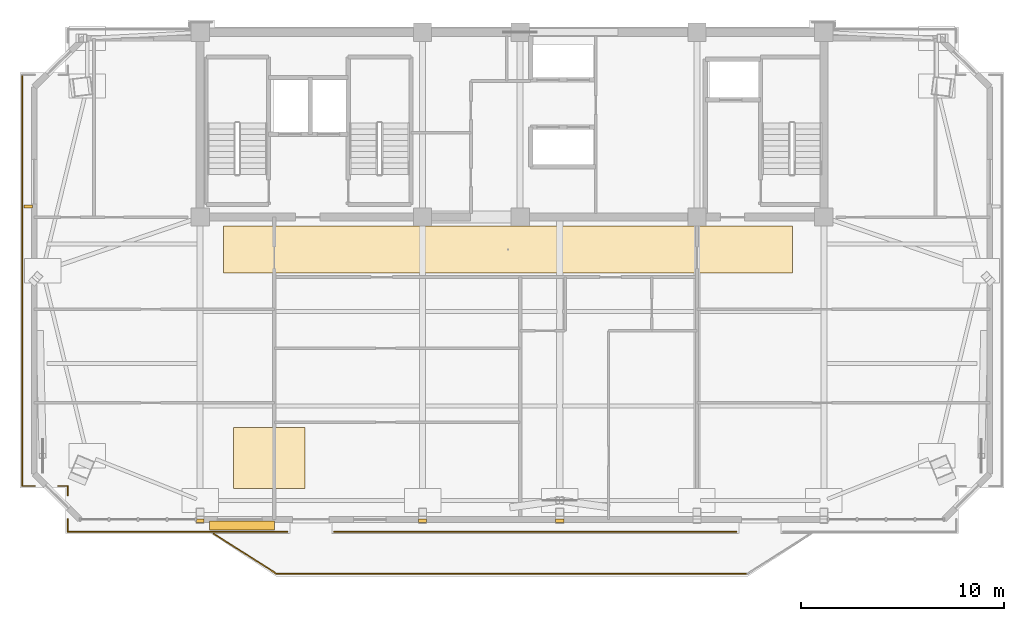
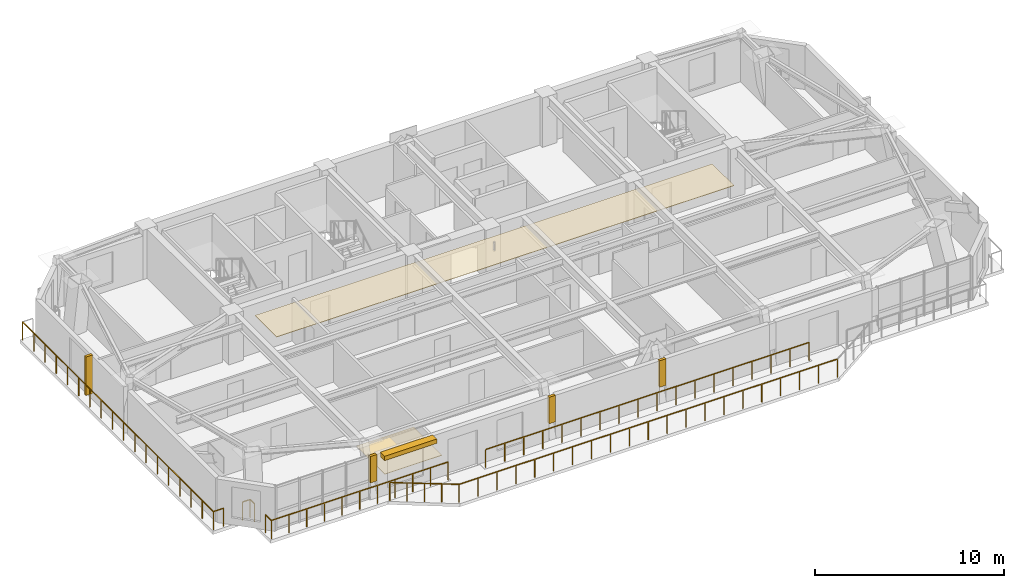
# One storey, part 10 of 12: 9 railings, 5 coverings, 2 shading devices.
"""IFC4 building model written with IfcOpenShell, lengths in metres."""

import ifcopenshell
import ifcopenshell.guid

model = None  # the IFC model being written
_history = None  # IfcOwnerHistory: only IFC2X3 demands one
_inside = {}  # id of a spatial element -> (the spatial element, [elements in it])
_under = {}  # id of a project, library or spatial element -> (it, [spatial elements below it])
_declared = {}  # id of a project -> (the project, [libraries it declares])
_typed = {}  # id of a type object -> (the type object, [elements of that type])
_made_of = {}  # id of a material, layer set ... -> (it, [elements and type objects made of it])


def new_model(schema):
    """Start an empty IFC model of exactly this schema.

    Asked for "IFC4X3", IfcOpenShell would pick the latest addendum, in which some entities
    have other attributes; the version numbers below select the first issue.
    IFC2X3 requires an IfcOwnerHistory on every rooted entity: one is made here for all.
    """
    global model, _history
    if schema == "IFC4X3":
        model = ifcopenshell.file(schema_version=(4, 3, 0, 0))
    else:
        model = ifcopenshell.file(schema=schema)
    _inside.clear()
    _under.clear()
    _declared.clear()
    _typed.clear()
    _made_of.clear()
    _history = None
    if model.schema == "IFC2X3":
        org = make("IfcOrganization", Name="unknown")
        user = make(
            "IfcPersonAndOrganization",
            ThePerson=make("IfcPerson", FamilyName="unknown"),
            TheOrganization=org,
        )
        app = make(
            "IfcApplication",
            ApplicationDeveloper=org,
            Version="unknown",
            ApplicationFullName="unknown",
            ApplicationIdentifier="unknown",
        )
        _history = make(
            "IfcOwnerHistory",
            OwningUser=user,
            OwningApplication=app,
            ChangeAction="ADDED",
            CreationDate=0,
        )
    return model


def make(cls, **values):
    """One entity of the class cls with the attributes given. An attribute that is None is left unset."""
    return model.create_entity(
        cls, **{name: value for name, value in values.items() if value is not None}
    )


def rooted(cls, **values):
    """An entity with a GlobalId (a new one), such as an element, a storey or a relation."""
    return make(cls, GlobalId=ifcopenshell.guid.new(), OwnerHistory=_history, **values)


def si_unit(unit_type, name, prefix=None):
    """IfcSIUnit, for example si_unit("LENGTHUNIT", "METRE", prefix="MILLI")."""
    return make("IfcSIUnit", UnitType=unit_type, Prefix=prefix, Name=name)


def assignment(units):
    """IfcUnitAssignment: the units of a project."""
    return None if units is None else make("IfcUnitAssignment", Units=units)


def point(xyz):
    """IfcCartesianPoint."""
    return None if xyz is None else make("IfcCartesianPoint", Coordinates=xyz)


def direction(xyz):
    """IfcDirection."""
    return None if xyz is None else make("IfcDirection", DirectionRatios=xyz)


def frame(location, z_axis=None, x_axis=None):
    """IfcAxis2Placement3D, a coordinate frame: its origin and axes. An axis left out is left unset."""
    return make(
        "IfcAxis2Placement3D",
        Location=point(location),
        Axis=direction(z_axis),
        RefDirection=direction(x_axis),
    )


def frame_2d(location, x_axis=None):
    """IfcAxis2Placement2D, a coordinate frame in the plane: its origin and x axis."""
    return make(
        "IfcAxis2Placement2D", Location=point(location), RefDirection=direction(x_axis)
    )


def origin():
    """The frame at (0, 0, 0) with its axes left unset."""
    return frame((0.0, 0.0, 0.0))


def origin_2d():
    """The frame at (0, 0) in the plane with its x axis left unset."""
    return frame_2d((0.0, 0.0))


def place(relative_to, where):
    """IfcLocalPlacement: puts the frame where relative to a parent placement (None: the world)."""
    return make(
        "IfcLocalPlacement", PlacementRelTo=relative_to, RelativePlacement=where
    )


def context(
    kind, dimensions, precision=None, world=None, true_north=None, identifier=None
):
    """IfcGeometricRepresentationContext, for example the 3D "Model" context."""
    return make(
        "IfcGeometricRepresentationContext",
        ContextIdentifier=identifier,
        ContextType=kind,
        CoordinateSpaceDimension=dimensions,
        Precision=precision,
        WorldCoordinateSystem=world,
        TrueNorth=true_north,
    )


def subcontext(parent, identifier, kind, view, scale=None):
    """IfcGeometricRepresentationSubContext, for example "Body" below "Model"."""
    return make(
        "IfcGeometricRepresentationSubContext",
        ContextIdentifier=identifier,
        ContextType=kind,
        ParentContext=parent,
        TargetScale=scale,
        TargetView=view,
    )


def project(units=None, contexts=None):
    """IfcProject with its units and contexts."""
    return rooted(
        "IfcProject",
        Name="project",
        RepresentationContexts=contexts,
        UnitsInContext=assignment(units),
    )


def spatial(cls, under=None, at=None, **own):
    """A site, building, storey or space (cls), placed at a placement, below another one or the project."""
    s = rooted(cls, ObjectPlacement=at, **own)
    if under is not None:
        _under.setdefault(under.id(), (under, []))[1].append(s)
    return s


def polyline(points):
    """IfcPolyline through the points."""
    return make("IfcPolyline", Points=[point(p) for p in points])


def profile(cls, at=None, kind="AREA", **sizes):
    """A parametric profile (cls). Its sizes go by their IFC names, for example OverallWidth=200.0."""
    return make(cls, ProfileType=kind, Position=at, **sizes)


def rectangle(**sizes):
    """IfcRectangleProfileDef."""
    return profile("IfcRectangleProfileDef", **sizes)


def outline(outer, holes=None, kind="AREA"):
    """IfcArbitraryClosedProfileDef: a profile drawn as a closed curve; with holes, ...WithVoids."""
    if holes is None:
        return make("IfcArbitraryClosedProfileDef", ProfileType=kind, OuterCurve=outer)
    return make(
        "IfcArbitraryProfileDefWithVoids",
        ProfileType=kind,
        OuterCurve=outer,
        InnerCurves=holes,
    )


def extrude(swept, where, along, depth):
    """IfcExtrudedAreaSolid: the profile swept, set in the frame where, extruded along a direction by depth."""
    return make(
        "IfcExtrudedAreaSolid",
        SweptArea=swept,
        Position=where,
        ExtrudedDirection=direction(along),
        Depth=depth,
    )


def shape(context_of_items, identifier, shape_type, items):
    """IfcShapeRepresentation: the items that make up one representation, for example the "Body"."""
    return make(
        "IfcShapeRepresentation",
        ContextOfItems=context_of_items,
        RepresentationIdentifier=identifier,
        RepresentationType=shape_type,
        Items=items,
    )


def source(mapping_origin, context_of_items, identifier, shape_type, items):
    """IfcRepresentationMap: a shape defined once, which mapped items show again and again."""
    return make(
        "IfcRepresentationMap",
        MappingOrigin=mapping_origin,
        MappedRepresentation=shape(context_of_items, identifier, shape_type, items),
    )


def transform(
    local_origin,
    x_axis=None,
    y_axis=None,
    z_axis=None,
    scale=None,
    scale2=None,
    scale3=None,
    uniform=True,
):
    """IfcCartesianTransformationOperator3D, or its non-uniform kind. x_axis, y_axis, z_axis: its Axis1, 2, 3."""
    if uniform:
        return make(
            "IfcCartesianTransformationOperator3D",
            Axis1=direction(x_axis),
            Axis2=direction(y_axis),
            LocalOrigin=point(local_origin),
            Scale=scale,
            Axis3=direction(z_axis),
        )
    return make(
        "IfcCartesianTransformationOperator3DnonUniform",
        Axis1=direction(x_axis),
        Axis2=direction(y_axis),
        LocalOrigin=point(local_origin),
        Scale=scale,
        Axis3=direction(z_axis),
        Scale2=scale2,
        Scale3=scale3,
    )


def mapped(mapping_source, mapping_target):
    """IfcMappedItem: shows the shape of a source again, moved by a transform."""
    return make(
        "IfcMappedItem", MappingSource=mapping_source, MappingTarget=mapping_target
    )


def material(Name=None, Category=None):
    """IfcMaterial."""
    return make("IfcMaterial", Name=Name, Category=Category)


def layer(
    of_material, thickness, ventilated=None, Name=None, Category=None, Priority=None
):
    """IfcMaterialLayer: one layer of a wall or slab, of a material (None: an air gap)."""
    return make(
        "IfcMaterialLayer",
        Material=of_material,
        LayerThickness=thickness,
        IsVentilated=ventilated,
        Name=Name,
        Category=Category,
        Priority=Priority,
    )


def layer_set(layers, Name=None):
    """IfcMaterialLayerSet."""
    return make("IfcMaterialLayerSet", MaterialLayers=layers, LayerSetName=Name)


def made_of(thing, what):
    """Note that an element or type object is made of a material, layer set ...; save() writes the relation."""
    if what is not None:
        _made_of.setdefault(what.id(), (what, []))[1].append(thing)
    return thing


def type_object(cls, material=None, **own):
    """A type object (cls), such as IfcWallType, which elements share."""
    return made_of(rooted(cls, **own), material)


def element(
    cls,
    number,
    at=None,
    inside=None,
    cuts=None,
    type_object=None,
    material=None,
    context=None,
    identifier="Body",
    shape_type=None,
    held_by="IfcProductDefinitionShape",
    body=None,
    shapes=None,
    **own,
):
    """One element of the class cls, such as IfcWall. Its Tag is "e" and its number.

    at: its placement. inside: the storey or other place that contains it. cuts: it is an
    opening in that element (IfcRelVoidsElement). A single representation is given by context,
    identifier, shape_type and body (its items); several are given by shapes. held_by: the class
    of the entity that holds the representations. save() writes the other relations.
    """
    e = rooted(cls, Tag="e%d" % number, ObjectPlacement=at, **own)
    if body is not None:
        shapes = [shape(context, identifier, shape_type, body)]
    if shapes is not None:
        e.Representation = make(held_by, Representations=shapes)
    if inside is not None:
        _inside.setdefault(inside.id(), (inside, []))[1].append(e)
    if cuts is not None:
        rooted(
            "IfcRelVoidsElement", RelatingBuildingElement=cuts, RelatedOpeningElement=e
        )
    if type_object is not None:
        _typed.setdefault(type_object.id(), (type_object, []))[1].append(e)
    return made_of(e, material)


def aggregate(whole, parts):
    """IfcRelAggregates: a whole, such as a stair, and the parts it consists of."""
    return rooted("IfcRelAggregates", RelatingObject=whole, RelatedObjects=parts)


def save(model, path):
    """Write the relations noted so far, then the file.

    IfcRelAggregates (storeys below a building ...), IfcRelContainedInSpatialStructure (elements
    in a storey), IfcRelDefinesByType, IfcRelAssociatesMaterial and IfcRelDeclares: one each for
    every whole, place, type object, material and project.
    """
    for whole, parts in _under.values():
        aggregate(whole, parts)
    for where, things in _inside.values():
        rooted(
            "IfcRelContainedInSpatialStructure",
            RelatedElements=things,
            RelatingStructure=where,
        )
    for kind, things in _typed.values():
        rooted("IfcRelDefinesByType", RelatedObjects=things, RelatingType=kind)
    for what, things in _made_of.values():
        rooted("IfcRelAssociatesMaterial", RelatedObjects=things, RelatingMaterial=what)
    for by, libraries in _declared.values():
        rooted("IfcRelDeclares", RelatingContext=by, RelatedDefinitions=libraries)
    model.write(path)


model = new_model("IFC4")

# Units and contexts
model_context = context("Model", 3, precision=1e-05, world=origin(), true_north=direction((0.0, 1.0)))
body_context = subcontext(model_context, "Body", "Model", "MODEL_VIEW")
ifc_project = project(units=[si_unit("LENGTHUNIT", "METRE"), si_unit("AREAUNIT", "SQUARE_METRE"), si_unit("VOLUMEUNIT", "CUBIC_METRE"), si_unit("PLANEANGLEUNIT", "RADIAN"), si_unit("MASSUNIT", "GRAM", prefix="KILO")], contexts=[model_context])

# Site, building, storey
site_placement = place(None, origin())
site = spatial("IfcSite", under=ifc_project, at=site_placement, CompositionType="ELEMENT")
building_placement = place(site_placement, origin())
building = spatial("IfcBuilding", under=site, at=building_placement, Name="Giltprow Tower", CompositionType="ELEMENT")
storey_placement = place(building_placement, frame((0.0, 0.0, 342.5)))
storey = spatial("IfcBuildingStorey", under=building, at=storey_placement, Name="L89", CompositionType="ELEMENT", Elevation=342.5)

# Coverings
ifc_material_1 = material(Name="Painted gypsum board", Category="gypsum")
ifc_layer_1 = layer(ifc_material_1, 0.030029296875, Name="Painted gypsum board")
ifc_layer_set_1 = layer_set([ifc_layer_1], Name="Painted gypsum board")
covering_type_1 = type_object("IfcCoveringType", Name="COV-CLG-GYPSUM", PredefinedType="CEILING", material=ifc_layer_set_1)
covering_1_placement = place(storey_placement, frame((0.0, 0.0, 2.6201171875)))
element("IfcCovering", 1, at=covering_1_placement, inside=storey, type_object=covering_type_1, Name="L89 Residence Gallery Ceiling", PredefinedType="CEILING", context=body_context, shape_type="SweptSolid", body=[
    extrude(outline(polyline([(21.0, 34.699951171875), (49.0, 34.699951171875), (49.0, 37.0), (21.0, 37.0), (21.0, 34.699951171875)])), origin(), (0.0, 0.0, 1.0), 0.02978515625),
])
ifc_material_2 = material(Name="Engineered oak", Category="wood")
ifc_layer_2 = layer(ifc_material_2, 0.02490234375, Name="Engineered oak")
ifc_layer_set_2 = layer_set([ifc_layer_2], Name="Engineered oak")
covering_type_2 = type_object("IfcCoveringType", Name="COV-FLR-TIMBER", PredefinedType="FLOORING", material=ifc_layer_set_2)
covering_2_placement = place(storey_placement, origin())
element("IfcCovering", 2, at=covering_2_placement, inside=storey, type_object=covering_type_2, Name="L89 Residence Oak Parquet Flooring", PredefinedType="FLOORING", context=body_context, shape_type="SweptSolid", body=[
    extrude(outline(polyline([(21.5, 24.10009765625), (25.0, 24.10009765625), (25.0, 27.10009765625), (21.5, 27.10009765625), (21.5, 24.10009765625)])), origin(), (0.0, 0.0, 1.0), 0.02490234375),
])
ifc_material_3 = material(Name="Anodized bronze", Category="metal")
ifc_layer_3 = layer(ifc_material_3, 0.0400390625, Name="Anodized bronze")
ifc_layer_set_3 = layer_set([ifc_layer_3], Name="Anodized bronze")
covering_type_3 = type_object("IfcCoveringType", Name="COV-SOFFIT-BRONZE", PredefinedType="CLADDING", material=ifc_layer_set_3)
covering_3_placement = place(storey_placement, frame((0.0, 0.0, 1.10009765625)))
element("IfcCovering", 3, at=covering_3_placement, inside=storey, type_object=covering_type_3, Name="L89 Setback Pier Closure Cladding S-1", PredefinedType="CLADDING", context=body_context, shape_type="SweptSolid", body=[
    extrude(outline(polyline([(19.64990234375, 22.427978515625), (20.050048828125, 22.427978515625), (20.050048828125, 22.587890625), (19.64990234375, 22.587890625), (19.64990234375, 22.427978515625)])), origin(), (0.0, 0.0, 1.0), 1.71484375),
])
covering_4_placement = place(storey_placement, frame((0.0, 0.0, 1.10009765625)))
element("IfcCovering", 4, at=covering_4_placement, inside=storey, type_object=covering_type_3, Name="L89 Setback Pier Closure Cladding S-2", PredefinedType="CLADDING", context=body_context, shape_type="SweptSolid", body=[
    extrude(outline(polyline([(30.60009765625, 22.427978515625), (31.0, 22.427978515625), (31.0, 22.587890625), (30.60009765625, 22.587890625), (30.60009765625, 22.427978515625)])), origin(), (0.0, 0.0, 1.0), 1.71484375),
])
covering_5_placement = place(storey_placement, frame((0.0, 0.0, 1.10009765625)))
element("IfcCovering", 5, at=covering_5_placement, inside=storey, type_object=covering_type_3, Name="L89 Setback Pier Closure Cladding S-3", PredefinedType="CLADDING", context=body_context, shape_type="SweptSolid", body=[
    extrude(outline(polyline([(37.35009765625, 22.427978515625), (37.75, 22.427978515625), (37.75, 22.587890625), (37.35009765625, 22.587890625), (37.35009765625, 22.427978515625)])), origin(), (0.0, 0.0, 1.0), 1.71484375),
])

# Railings
railing_type = type_object("IfcRailingType", Name="RAIL-BALC-GUARD-1200", PredefinedType="BALUSTRADE", material=ifc_material_3)
railing_1_placement = place(storey_placement, frame((20.52001953125, 21.867919921875, 0.0)))
element("IfcRailing", 6, at=railing_1_placement, inside=storey, type_object=railing_type, Name="L89 Waterfront Balcony Balustrade Seg 1", PredefinedType="BALUSTRADE", context=body_context, shape_type="SweptSolid", body=[
    extrude(rectangle(XDim=0.048095703125, YDim=0.048095703125, at=origin_2d()), frame((0.0, 0.0, 1.17578125), z_axis=(0.84277487735, -0.538266203757, 0.0), x_axis=(0.538266203757, 0.84277487735, 0.0)), (0.0, 0.0, 1.0), 3.678466796875),
    extrude(rectangle(XDim=0.0419921875, YDim=0.0419921875, at=origin_2d()), origin(), (0.0, 0.0, 1.0), 1.15185546875),
    extrude(rectangle(XDim=0.0419921875, YDim=0.0419921875, at=origin_2d()), frame((0.77490234375, -0.4951171875, 0.0)), (0.0, 0.0, 1.0), 1.15185546875),
    extrude(rectangle(XDim=0.0419921875, YDim=0.0419921875, at=origin_2d()), frame((1.550048828125, -0.989990234375, 0.0)), (0.0, 0.0, 1.0), 1.15185546875),
    extrude(rectangle(XDim=0.0419921875, YDim=0.0419921875, at=origin_2d()), frame((2.3251953125, -1.48486328125, 0.0)), (0.0, 0.0, 1.0), 1.15185546875),
    extrude(rectangle(XDim=0.0419921875, YDim=0.0419921875, at=origin_2d()), frame((3.10009765625, -1.97998046875, 0.0)), (0.0, 0.0, 1.0), 1.15185546875),
])
railing_2_placement = place(storey_placement, frame((23.6201171875, 19.887939453125, 0.0)))
element("IfcRailing", 7, at=railing_2_placement, inside=storey, type_object=railing_type, Name="L89 Waterfront Balcony Balustrade Seg 2", PredefinedType="BALUSTRADE", context=body_context, shape_type="SweptSolid", body=[
    extrude(rectangle(XDim=0.048095703125, YDim=0.048095703125, at=origin_2d()), frame((0.0, 0.0, 1.17578125), z_axis=(1.0, 0.0, 0.0), x_axis=(0.0, 1.0, 0.0)), (0.0, 0.0, 1.0), 23.159912109375),
    extrude(rectangle(XDim=0.0419921875, YDim=0.0419921875, at=origin_2d()), origin(), (0.0, 0.0, 1.0), 1.15185546875),
    extrude(rectangle(XDim=0.0419921875, YDim=0.0419921875, at=origin_2d()), frame((1.157958984375, 0.0, 0.0)), (0.0, 0.0, 1.0), 1.15185546875),
    extrude(rectangle(XDim=0.0419921875, YDim=0.0419921875, at=origin_2d()), frame((2.31591796875, 0.0, 0.0)), (0.0, 0.0, 1.0), 1.15185546875),
    extrude(rectangle(XDim=0.0419921875, YDim=0.0419921875, at=origin_2d()), frame((3.473876953125, 0.0, 0.0)), (0.0, 0.0, 1.0), 1.15185546875),
    extrude(rectangle(XDim=0.0419921875, YDim=0.0419921875, at=origin_2d()), frame((4.632080078125, 0.0, 0.0)), (0.0, 0.0, 1.0), 1.15185546875),
    extrude(rectangle(XDim=0.0419921875, YDim=0.0419921875, at=origin_2d()), frame((5.7900390625, 0.0, 0.0)), (0.0, 0.0, 1.0), 1.15185546875),
    extrude(rectangle(XDim=0.0419921875, YDim=0.0419921875, at=origin_2d()), frame((6.947998046875, 0.0, 0.0)), (0.0, 0.0, 1.0), 1.15185546875),
    extrude(rectangle(XDim=0.0419921875, YDim=0.0419921875, at=origin_2d()), frame((8.10595703125, 0.0, 0.0)), (0.0, 0.0, 1.0), 1.15185546875),
    extrude(rectangle(XDim=0.0419921875, YDim=0.0419921875, at=origin_2d()), frame((9.263916015625, 0.0, 0.0)), (0.0, 0.0, 1.0), 1.15185546875),
    extrude(rectangle(XDim=0.0419921875, YDim=0.0419921875, at=origin_2d()), frame((10.421875, 0.0, 0.0)), (0.0, 0.0, 1.0), 1.15185546875),
    extrude(rectangle(XDim=0.0419921875, YDim=0.0419921875, at=origin_2d()), frame((11.580078125, 0.0, 0.0)), (0.0, 0.0, 1.0), 1.15185546875),
    extrude(rectangle(XDim=0.0419921875, YDim=0.0419921875, at=origin_2d()), frame((12.738037109375, 0.0, 0.0)), (0.0, 0.0, 1.0), 1.15185546875),
    extrude(rectangle(XDim=0.0419921875, YDim=0.0419921875, at=origin_2d()), frame((13.89599609375, 0.0, 0.0)), (0.0, 0.0, 1.0), 1.15185546875),
    extrude(rectangle(XDim=0.0419921875, YDim=0.0419921875, at=origin_2d()), frame((15.053955078125, 0.0, 0.0)), (0.0, 0.0, 1.0), 1.15185546875),
    extrude(rectangle(XDim=0.0419921875, YDim=0.0419921875, at=origin_2d()), frame((16.2119140625, 0.0, 0.0)), (0.0, 0.0, 1.0), 1.15185546875),
    extrude(rectangle(XDim=0.0419921875, YDim=0.0419921875, at=origin_2d()), frame((17.369873046875, 0.0, 0.0)), (0.0, 0.0, 1.0), 1.15185546875),
    extrude(rectangle(XDim=0.0419921875, YDim=0.0419921875, at=origin_2d()), frame((18.52783203125, 0.0, 0.0)), (0.0, 0.0, 1.0), 1.15185546875),
    extrude(rectangle(XDim=0.0419921875, YDim=0.0419921875, at=origin_2d()), frame((19.68603515625, 0.0, 0.0)), (0.0, 0.0, 1.0), 1.15185546875),
    extrude(rectangle(XDim=0.0419921875, YDim=0.0419921875, at=origin_2d()), frame((20.843994140625, 0.0, 0.0)), (0.0, 0.0, 1.0), 1.15185546875),
    extrude(rectangle(XDim=0.0419921875, YDim=0.0419921875, at=origin_2d()), frame((22.001953125, 0.0, 0.0)), (0.0, 0.0, 1.0), 1.15185546875),
    extrude(rectangle(XDim=0.0419921875, YDim=0.0419921875, at=origin_2d()), frame((23.159912109375, 0.0, 0.0)), (0.0, 0.0, 1.0), 1.15185546875),
])
railing_3_placement = place(storey_placement, frame((46.25, 21.968017578125, 0.0)))
element("IfcRailing", 8, at=railing_3_placement, inside=storey, type_object=railing_type, Name="L89 Corner Apron Edge Balustrade 7", PredefinedType="BALUSTRADE", context=body_context, shape_type="SweptSolid", body=[
    extrude(rectangle(XDim=0.048095703125, YDim=0.048095703125, at=origin_2d()), frame((0.0, 0.0, 1.17578125), z_axis=(-1.0, 0.0, 0.0), x_axis=(0.0, -1.0, 0.0)), (0.0, 0.0, 1.0), 19.800048828125),
    extrude(rectangle(XDim=0.0419921875, YDim=0.0419921875, at=origin_2d()), origin(), (0.0, 0.0, 1.0), 1.15185546875),
    extrude(rectangle(XDim=0.0419921875, YDim=0.0419921875, at=origin_2d()), frame((-1.164794921875, 0.0, 0.0)), (0.0, 0.0, 1.0), 1.15185546875),
    extrude(rectangle(XDim=0.0419921875, YDim=0.0419921875, at=origin_2d()), frame((-2.329345703125, 0.0, 0.0)), (0.0, 0.0, 1.0), 1.15185546875),
    extrude(rectangle(XDim=0.0419921875, YDim=0.0419921875, at=origin_2d()), frame((-3.494140625, 0.0, 0.0)), (0.0, 0.0, 1.0), 1.15185546875),
    extrude(rectangle(XDim=0.0419921875, YDim=0.0419921875, at=origin_2d()), frame((-4.658935546875, 0.0, 0.0)), (0.0, 0.0, 1.0), 1.15185546875),
    extrude(rectangle(XDim=0.0419921875, YDim=0.0419921875, at=origin_2d()), frame((-5.823486328125, 0.0, 0.0)), (0.0, 0.0, 1.0), 1.15185546875),
    extrude(rectangle(XDim=0.0419921875, YDim=0.0419921875, at=origin_2d()), frame((-6.98828125, 0.0, 0.0)), (0.0, 0.0, 1.0), 1.15185546875),
    extrude(rectangle(XDim=0.0419921875, YDim=0.0419921875, at=origin_2d()), frame((-8.153076171875, 0.0, 0.0)), (0.0, 0.0, 1.0), 1.15185546875),
    extrude(rectangle(XDim=0.0419921875, YDim=0.0419921875, at=origin_2d()), frame((-9.317626953125, 0.0, 0.0)), (0.0, 0.0, 1.0), 1.15185546875),
    extrude(rectangle(XDim=0.0419921875, YDim=0.0419921875, at=origin_2d()), frame((-10.482421875, 0.0, 0.0)), (0.0, 0.0, 1.0), 1.15185546875),
    extrude(rectangle(XDim=0.0419921875, YDim=0.0419921875, at=origin_2d()), frame((-11.64697265625, 0.0, 0.0)), (0.0, 0.0, 1.0), 1.15185546875),
    extrude(rectangle(XDim=0.0419921875, YDim=0.0419921875, at=origin_2d()), frame((-12.811767578125, 0.0, 0.0)), (0.0, 0.0, 1.0), 1.15185546875),
    extrude(rectangle(XDim=0.0419921875, YDim=0.0419921875, at=origin_2d()), frame((-13.9765625, 0.0, 0.0)), (0.0, 0.0, 1.0), 1.15185546875),
    extrude(rectangle(XDim=0.0419921875, YDim=0.0419921875, at=origin_2d()), frame((-15.14111328125, 0.0, 0.0)), (0.0, 0.0, 1.0), 1.15185546875),
    extrude(rectangle(XDim=0.0419921875, YDim=0.0419921875, at=origin_2d()), frame((-16.305908203125, 0.0, 0.0)), (0.0, 0.0, 1.0), 1.15185546875),
    extrude(rectangle(XDim=0.0419921875, YDim=0.0419921875, at=origin_2d()), frame((-17.470703125, 0.0, 0.0)), (0.0, 0.0, 1.0), 1.15185546875),
    extrude(rectangle(XDim=0.0419921875, YDim=0.0419921875, at=origin_2d()), frame((-18.63525390625, 0.0, 0.0)), (0.0, 0.0, 1.0), 1.15185546875),
    extrude(rectangle(XDim=0.0419921875, YDim=0.0419921875, at=origin_2d()), frame((-19.800048828125, 0.0, 0.0)), (0.0, 0.0, 1.0), 1.15185546875),
])
railing_4_placement = place(storey_placement, frame((24.14990234375, 21.968017578125, 0.0)))
element("IfcRailing", 9, at=railing_4_placement, inside=storey, type_object=railing_type, Name="L89 Corner Apron Edge Balustrade 8", PredefinedType="BALUSTRADE", context=body_context, shape_type="SweptSolid", body=[
    extrude(rectangle(XDim=0.048095703125, YDim=0.048095703125, at=origin_2d()), frame((0.0, 0.0, 1.17578125), z_axis=(-1.0, 0.0, 0.0), x_axis=(0.0, -1.0, 0.0)), (0.0, 0.0, 1.0), 10.81884765625),
    extrude(rectangle(XDim=0.0419921875, YDim=0.0419921875, at=origin_2d()), origin(), (0.0, 0.0, 1.0), 1.15185546875),
    extrude(rectangle(XDim=0.0419921875, YDim=0.0419921875, at=origin_2d()), frame((-1.081787109375, 0.0, 0.0)), (0.0, 0.0, 1.0), 1.15185546875),
    extrude(rectangle(XDim=0.0419921875, YDim=0.0419921875, at=origin_2d()), frame((-2.163818359375, 0.0, 0.0)), (0.0, 0.0, 1.0), 1.15185546875),
    extrude(rectangle(XDim=0.0419921875, YDim=0.0419921875, at=origin_2d()), frame((-3.24560546875, 0.0, 0.0)), (0.0, 0.0, 1.0), 1.15185546875),
    extrude(rectangle(XDim=0.0419921875, YDim=0.0419921875, at=origin_2d()), frame((-4.32763671875, 0.0, 0.0)), (0.0, 0.0, 1.0), 1.15185546875),
    extrude(rectangle(XDim=0.0419921875, YDim=0.0419921875, at=origin_2d()), frame((-5.409423828125, 0.0, 0.0)), (0.0, 0.0, 1.0), 1.15185546875),
    extrude(rectangle(XDim=0.0419921875, YDim=0.0419921875, at=origin_2d()), frame((-6.4912109375, 0.0, 0.0)), (0.0, 0.0, 1.0), 1.15185546875),
    extrude(rectangle(XDim=0.0419921875, YDim=0.0419921875, at=origin_2d()), frame((-7.5732421875, 0.0, 0.0)), (0.0, 0.0, 1.0), 1.15185546875),
    extrude(rectangle(XDim=0.0419921875, YDim=0.0419921875, at=origin_2d()), frame((-8.655029296875, 0.0, 0.0)), (0.0, 0.0, 1.0), 1.15185546875),
    extrude(rectangle(XDim=0.0419921875, YDim=0.0419921875, at=origin_2d()), frame((-9.737060546875, 0.0, 0.0)), (0.0, 0.0, 1.0), 1.15185546875),
    extrude(rectangle(XDim=0.0419921875, YDim=0.0419921875, at=origin_2d()), frame((-10.81884765625, 0.0, 0.0)), (0.0, 0.0, 1.0), 1.15185546875),
])
railing_5_placement = place(storey_placement, frame((13.3310546875, 21.968017578125, 0.0)))
element("IfcRailing", 10, at=railing_5_placement, inside=storey, type_object=railing_type, Name="L89 Corner Apron Edge Balustrade 9", PredefinedType="BALUSTRADE", context=body_context, shape_type="SweptSolid", body=[
    extrude(rectangle(XDim=0.048095703125, YDim=0.048095703125, at=origin_2d()), frame((0.0, 0.0, 1.17578125), z_axis=(0.0, 1.0, 0.0), x_axis=(-1.0, 0.0, 0.0)), (0.0, 0.0, 1.0), 0.619873046875),
    extrude(rectangle(XDim=0.0419921875, YDim=0.0419921875, at=origin_2d()), origin(), (0.0, 0.0, 1.0), 1.15185546875),
    extrude(rectangle(XDim=0.0419921875, YDim=0.0419921875, at=origin_2d()), frame((0.0, 0.619873046875, 0.0)), (0.0, 0.0, 1.0), 1.15185546875),
])
railing_6_placement = place(storey_placement, frame((13.3310546875, 23.748046875, 0.0)))
element("IfcRailing", 11, at=railing_6_placement, inside=storey, type_object=railing_type, Name="L89 Corner Apron Edge Balustrade 10", PredefinedType="BALUSTRADE", context=body_context, shape_type="SweptSolid", body=[
    extrude(rectangle(XDim=0.048095703125, YDim=0.048095703125, at=origin_2d()), frame((0.0, 0.0, 1.17578125), z_axis=(0.0, 1.0, 0.0), x_axis=(-1.0, 0.0, 0.0)), (0.0, 0.0, 1.0), 0.466064453125),
    extrude(rectangle(XDim=0.0419921875, YDim=0.0419921875, at=origin_2d()), origin(), (0.0, 0.0, 1.0), 1.15185546875),
    extrude(rectangle(XDim=0.0419921875, YDim=0.0419921875, at=origin_2d()), frame((0.0, 0.466064453125, 0.0)), (0.0, 0.0, 1.0), 1.15185546875),
])
railing_7_placement = place(storey_placement, frame((13.3310546875, 24.214111328125, 0.0)))
element("IfcRailing", 12, at=railing_7_placement, inside=storey, type_object=railing_type, Name="L89 Corner Apron Edge Balustrade 11", PredefinedType="BALUSTRADE", context=body_context, shape_type="SweptSolid", body=[
    extrude(rectangle(XDim=0.048095703125, YDim=0.048095703125, at=origin_2d()), frame((0.0, 0.0, 1.17578125), z_axis=(-1.0, 0.0, 0.0), x_axis=(0.0, -1.0, 0.0)), (0.0, 0.0, 1.0), 0.466064453125),
    extrude(rectangle(XDim=0.0419921875, YDim=0.0419921875, at=origin_2d()), origin(), (0.0, 0.0, 1.0), 1.15185546875),
    extrude(rectangle(XDim=0.0419921875, YDim=0.0419921875, at=origin_2d()), frame((-0.466064453125, 0.0, 0.0)), (0.0, 0.0, 1.0), 1.15185546875),
])
railing_8_placement = place(storey_placement, frame((11.705078125, 24.214111328125, 0.0)))
element("IfcRailing", 13, at=railing_8_placement, inside=storey, type_object=railing_type, Name="L89 Corner Apron Edge Balustrade 12", PredefinedType="BALUSTRADE", context=body_context, shape_type="SweptSolid", body=[
    extrude(rectangle(XDim=0.048095703125, YDim=0.048095703125, at=origin_2d()), frame((0.0, 0.0, 1.17578125), z_axis=(-1.0, 0.0, 0.0), x_axis=(0.0, -1.0, 0.0)), (0.0, 0.0, 1.0), 0.6201171875),
    extrude(rectangle(XDim=0.0419921875, YDim=0.0419921875, at=origin_2d()), origin(), (0.0, 0.0, 1.0), 1.15185546875),
    extrude(rectangle(XDim=0.0419921875, YDim=0.0419921875, at=origin_2d()), frame((-0.6201171875, 0.0, 0.0)), (0.0, 0.0, 1.0), 1.15185546875),
])
railing_9_placement = place(storey_placement, frame((11.0849609375, 24.214111328125, 0.0)))
element("IfcRailing", 14, at=railing_9_placement, inside=storey, type_object=railing_type, Name="L89 Corner Apron Edge Balustrade 13", PredefinedType="BALUSTRADE", context=body_context, shape_type="SweptSolid", body=[
    extrude(rectangle(XDim=0.048095703125, YDim=0.048095703125, at=origin_2d()), frame((0.0, 0.0, 1.17578125), z_axis=(0.0, 1.0, 0.0), x_axis=(-1.0, 0.0, 0.0)), (0.0, 0.0, 1.0), 20.239990234375),
    extrude(rectangle(XDim=0.0419921875, YDim=0.0419921875, at=origin_2d()), origin(), (0.0, 0.0, 1.0), 1.15185546875),
    extrude(rectangle(XDim=0.0419921875, YDim=0.0419921875, at=origin_2d()), frame((0.0, 1.190673828125, 0.0)), (0.0, 0.0, 1.0), 1.15185546875),
    extrude(rectangle(XDim=0.0419921875, YDim=0.0419921875, at=origin_2d()), frame((0.0, 2.381103515625, 0.0)), (0.0, 0.0, 1.0), 1.15185546875),
    extrude(rectangle(XDim=0.0419921875, YDim=0.0419921875, at=origin_2d()), frame((0.0, 3.57177734375, 0.0)), (0.0, 0.0, 1.0), 1.15185546875),
    extrude(rectangle(XDim=0.0419921875, YDim=0.0419921875, at=origin_2d()), frame((0.0, 4.762451171875, 0.0)), (0.0, 0.0, 1.0), 1.15185546875),
    extrude(rectangle(XDim=0.0419921875, YDim=0.0419921875, at=origin_2d()), frame((0.0, 5.952880859375, 0.0)), (0.0, 0.0, 1.0), 1.15185546875),
    extrude(rectangle(XDim=0.0419921875, YDim=0.0419921875, at=origin_2d()), frame((0.0, 7.1435546875, 0.0)), (0.0, 0.0, 1.0), 1.15185546875),
    extrude(rectangle(XDim=0.0419921875, YDim=0.0419921875, at=origin_2d()), frame((0.0, 8.334228515625, 0.0)), (0.0, 0.0, 1.0), 1.15185546875),
    extrude(rectangle(XDim=0.0419921875, YDim=0.0419921875, at=origin_2d()), frame((0.0, 9.524658203125, 0.0)), (0.0, 0.0, 1.0), 1.15185546875),
    extrude(rectangle(XDim=0.0419921875, YDim=0.0419921875, at=origin_2d()), frame((0.0, 10.71533203125, 0.0)), (0.0, 0.0, 1.0), 1.15185546875),
    extrude(rectangle(XDim=0.0419921875, YDim=0.0419921875, at=origin_2d()), frame((0.0, 11.90576171875, 0.0)), (0.0, 0.0, 1.0), 1.15185546875),
    extrude(rectangle(XDim=0.0419921875, YDim=0.0419921875, at=origin_2d()), frame((0.0, 13.096435546875, 0.0)), (0.0, 0.0, 1.0), 1.15185546875),
    extrude(rectangle(XDim=0.0419921875, YDim=0.0419921875, at=origin_2d()), frame((0.0, 14.287109375, 0.0)), (0.0, 0.0, 1.0), 1.15185546875),
    extrude(rectangle(XDim=0.0419921875, YDim=0.0419921875, at=origin_2d()), frame((0.0, 15.4775390625, 0.0)), (0.0, 0.0, 1.0), 1.15185546875),
    extrude(rectangle(XDim=0.0419921875, YDim=0.0419921875, at=origin_2d()), frame((0.0, 16.668212890625, 0.0)), (0.0, 0.0, 1.0), 1.15185546875),
    extrude(rectangle(XDim=0.0419921875, YDim=0.0419921875, at=origin_2d()), frame((0.0, 17.85888671875, 0.0)), (0.0, 0.0, 1.0), 1.15185546875),
    extrude(rectangle(XDim=0.0419921875, YDim=0.0419921875, at=origin_2d()), frame((0.0, 19.04931640625, 0.0)), (0.0, 0.0, 1.0), 1.15185546875),
    extrude(rectangle(XDim=0.0419921875, YDim=0.0419921875, at=origin_2d()), frame((0.0, 20.239990234375, 0.0)), (0.0, 0.0, 1.0), 1.15185546875),
])

# Shading devices
shading_device_type_1 = type_object("IfcShadingDeviceType", Name="SHD-FIN-420", PredefinedType="USERDEFINED", material=ifc_material_3)
shared_shape_1 = source(origin(), body_context, "Body", "SweptSolid", [
    extrude(rectangle(XDim=0.419921875, YDim=0.159912109375, at=origin_2d()), origin(), (0.0, 0.0, 1.0), 2.5),
])
shading_device_1_placement = place(storey_placement, frame((11.385009765625, 37.97412109375, 0.35009765625), z_axis=(0.0, 0.0, 1.0), x_axis=(1.0, 0.0, 0.0)))
element("IfcShadingDevice", 15, at=shading_device_1_placement, inside=storey, type_object=shading_device_type_1, Name="L89 W Bronze Vertical Fin 2-1", ObjectType="FIN", PredefinedType="USERDEFINED", context=body_context, shape_type="MappedRepresentation", body=[
    mapped(shared_shape_1, transform((0.0, 0.0, 0.0), x_axis=(1.0, 0.0, 0.0), y_axis=(0.0, 1.0, 0.0), z_axis=(0.0, 0.0, 1.0), scale=1.0)),
])
shading_device_type_2 = type_object("IfcShadingDeviceType", Name="SHD-LOUVRE-320", PredefinedType="JALOUSIE", material=ifc_material_3)
shared_shape_2 = source(origin(), body_context, "Body", "SweptSolid", [
    extrude(rectangle(XDim=3.199951171875, YDim=0.449951171875, at=origin_2d()), origin(), (0.0, 0.0, 1.0), 0.280029296875),
])
shading_device_2_placement = place(storey_placement, frame((21.89990234375, 22.26806640625, 2.56005859375), z_axis=(0.0, 0.0, 1.0), x_axis=(1.0, 0.0, 0.0)))
element("IfcShadingDevice", 16, at=shading_device_2_placement, inside=storey, type_object=shading_device_type_2, Name="L89 Bronze Sunshade Louvre S-2", PredefinedType="JALOUSIE", context=body_context, shape_type="MappedRepresentation", body=[
    mapped(shared_shape_2, transform((0.0, 0.0, 0.0), x_axis=(1.0, 0.0, 0.0), y_axis=(0.0, 1.0, 0.0), z_axis=(0.0, 0.0, 1.0), scale=1.0)),
])

save(model, "model.ifc")
